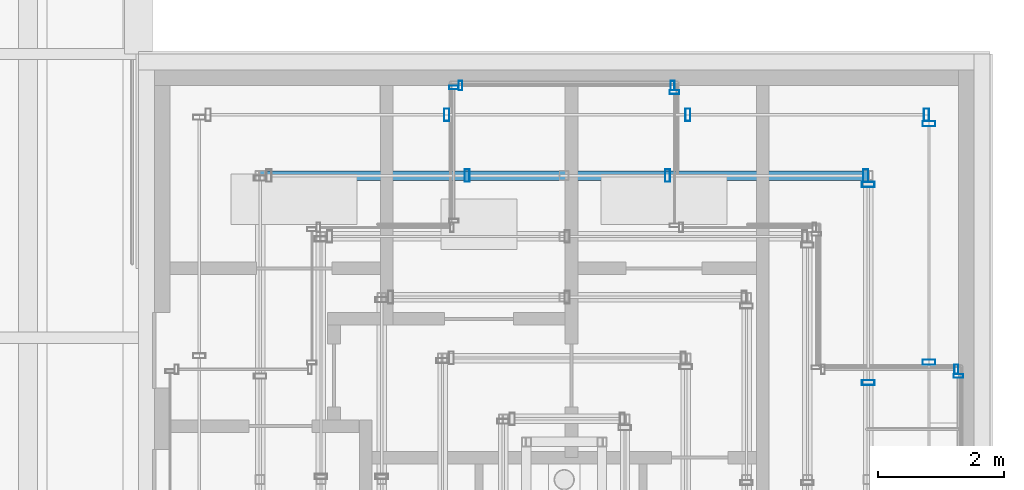
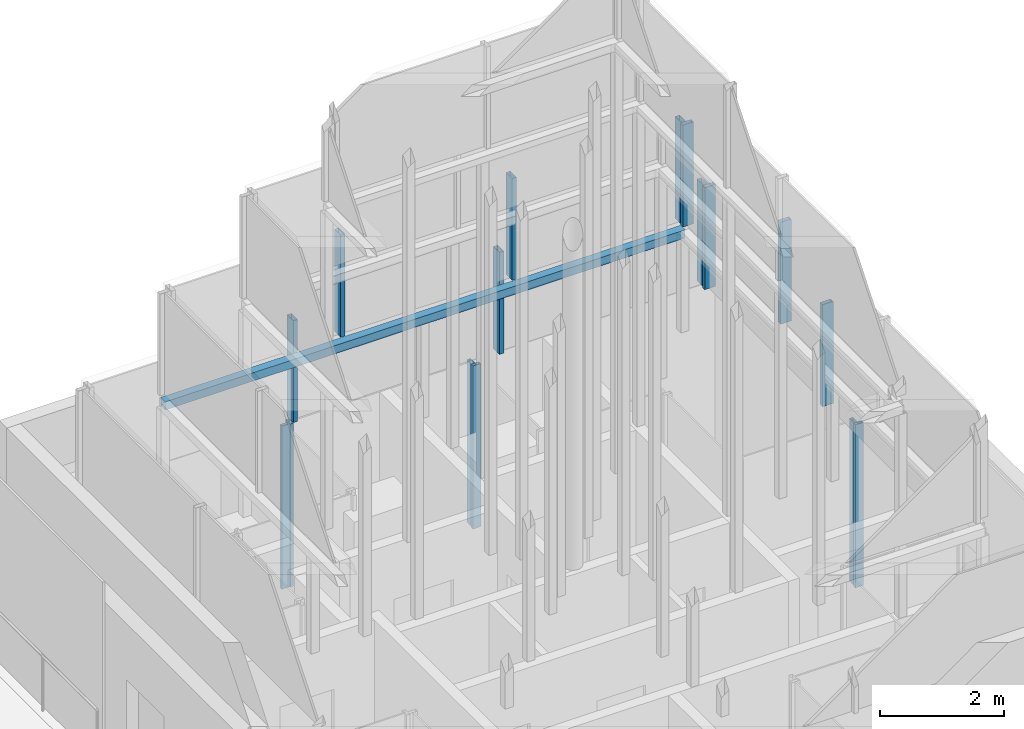
# One storey, part 51 of 62: 16 members, 1 beam, 9 elements without a shape of their own.
"""IFC4 building model written with IfcOpenShell, lengths in metres."""

import ifcopenshell
import ifcopenshell.guid

model = None  # the IFC model being written
_history = None  # IfcOwnerHistory: only IFC2X3 demands one
_inside = {}  # id of a spatial element -> (the spatial element, [elements in it])
_under = {}  # id of a project, library or spatial element -> (it, [spatial elements below it])
_declared = {}  # id of a project -> (the project, [libraries it declares])
_typed = {}  # id of a type object -> (the type object, [elements of that type])
_made_of = {}  # id of a material, layer set ... -> (it, [elements and type objects made of it])


def new_model(schema):
    """Start an empty IFC model of exactly this schema.

    Asked for "IFC4X3", IfcOpenShell would pick the latest addendum, in which some entities
    have other attributes; the version numbers below select the first issue.
    IFC2X3 requires an IfcOwnerHistory on every rooted entity: one is made here for all.
    """
    global model, _history
    if schema == "IFC4X3":
        model = ifcopenshell.file(schema_version=(4, 3, 0, 0))
    else:
        model = ifcopenshell.file(schema=schema)
    _inside.clear()
    _under.clear()
    _declared.clear()
    _typed.clear()
    _made_of.clear()
    _history = None
    if model.schema == "IFC2X3":
        org = make("IfcOrganization", Name="unknown")
        user = make(
            "IfcPersonAndOrganization",
            ThePerson=make("IfcPerson", FamilyName="unknown"),
            TheOrganization=org,
        )
        app = make(
            "IfcApplication",
            ApplicationDeveloper=org,
            Version="unknown",
            ApplicationFullName="unknown",
            ApplicationIdentifier="unknown",
        )
        _history = make(
            "IfcOwnerHistory",
            OwningUser=user,
            OwningApplication=app,
            ChangeAction="ADDED",
            CreationDate=0,
        )
    return model


def make(cls, **values):
    """One entity of the class cls with the attributes given. An attribute that is None is left unset."""
    return model.create_entity(
        cls, **{name: value for name, value in values.items() if value is not None}
    )


def rooted(cls, **values):
    """An entity with a GlobalId (a new one), such as an element, a storey or a relation."""
    return make(cls, GlobalId=ifcopenshell.guid.new(), OwnerHistory=_history, **values)


def si_unit(unit_type, name, prefix=None):
    """IfcSIUnit, for example si_unit("LENGTHUNIT", "METRE", prefix="MILLI")."""
    return make("IfcSIUnit", UnitType=unit_type, Prefix=prefix, Name=name)


def assignment(units):
    """IfcUnitAssignment: the units of a project."""
    return None if units is None else make("IfcUnitAssignment", Units=units)


def point(xyz):
    """IfcCartesianPoint."""
    return None if xyz is None else make("IfcCartesianPoint", Coordinates=xyz)


def direction(xyz):
    """IfcDirection."""
    return None if xyz is None else make("IfcDirection", DirectionRatios=xyz)


def frame(location, z_axis=None, x_axis=None):
    """IfcAxis2Placement3D, a coordinate frame: its origin and axes. An axis left out is left unset."""
    return make(
        "IfcAxis2Placement3D",
        Location=point(location),
        Axis=direction(z_axis),
        RefDirection=direction(x_axis),
    )


def frame_2d(location, x_axis=None):
    """IfcAxis2Placement2D, a coordinate frame in the plane: its origin and x axis."""
    return make(
        "IfcAxis2Placement2D", Location=point(location), RefDirection=direction(x_axis)
    )


def origin():
    """The frame at (0, 0, 0) with its axes left unset."""
    return frame((0.0, 0.0, 0.0))


def origin_2d():
    """The frame at (0, 0) in the plane with its x axis left unset."""
    return frame_2d((0.0, 0.0))


def place(relative_to, where):
    """IfcLocalPlacement: puts the frame where relative to a parent placement (None: the world)."""
    return make(
        "IfcLocalPlacement", PlacementRelTo=relative_to, RelativePlacement=where
    )


def context(
    kind, dimensions, precision=None, world=None, true_north=None, identifier=None
):
    """IfcGeometricRepresentationContext, for example the 3D "Model" context."""
    return make(
        "IfcGeometricRepresentationContext",
        ContextIdentifier=identifier,
        ContextType=kind,
        CoordinateSpaceDimension=dimensions,
        Precision=precision,
        WorldCoordinateSystem=world,
        TrueNorth=true_north,
    )


def subcontext(parent, identifier, kind, view, scale=None):
    """IfcGeometricRepresentationSubContext, for example "Body" below "Model"."""
    return make(
        "IfcGeometricRepresentationSubContext",
        ContextIdentifier=identifier,
        ContextType=kind,
        ParentContext=parent,
        TargetScale=scale,
        TargetView=view,
    )


def project(units=None, contexts=None):
    """IfcProject with its units and contexts."""
    return rooted(
        "IfcProject",
        Name="project",
        RepresentationContexts=contexts,
        UnitsInContext=assignment(units),
    )


def spatial(cls, under=None, at=None, **own):
    """A site, building, storey or space (cls), placed at a placement, below another one or the project."""
    s = rooted(cls, ObjectPlacement=at, **own)
    if under is not None:
        _under.setdefault(under.id(), (under, []))[1].append(s)
    return s


def profile(cls, at=None, kind="AREA", **sizes):
    """A parametric profile (cls). Its sizes go by their IFC names, for example OverallWidth=200.0."""
    return make(cls, ProfileType=kind, Position=at, **sizes)


def hollow_rectangle(**sizes):
    """IfcRectangleHollowProfileDef."""
    return profile("IfcRectangleHollowProfileDef", **sizes)


def extrude(swept, where, along, depth):
    """IfcExtrudedAreaSolid: the profile swept, set in the frame where, extruded along a direction by depth."""
    return make(
        "IfcExtrudedAreaSolid",
        SweptArea=swept,
        Position=where,
        ExtrudedDirection=direction(along),
        Depth=depth,
    )


def shape(context_of_items, identifier, shape_type, items):
    """IfcShapeRepresentation: the items that make up one representation, for example the "Body"."""
    return make(
        "IfcShapeRepresentation",
        ContextOfItems=context_of_items,
        RepresentationIdentifier=identifier,
        RepresentationType=shape_type,
        Items=items,
    )


def material(Name=None, Category=None):
    """IfcMaterial."""
    return make("IfcMaterial", Name=Name, Category=Category)


def material_profile(
    of_material, cross_section, Name=None, Category=None, Priority=None
):
    """IfcMaterialProfile: a cross section and its material."""
    return make(
        "IfcMaterialProfile",
        Name=Name,
        Material=of_material,
        Profile=cross_section,
        Priority=Priority,
        Category=Category,
    )


def profile_set(profiles, Name=None, composite=None):
    """IfcMaterialProfileSet."""
    return make(
        "IfcMaterialProfileSet",
        Name=Name,
        MaterialProfiles=profiles,
        CompositeProfile=composite,
    )


def made_of(thing, what):
    """Note that an element or type object is made of a material, layer set ...; save() writes the relation."""
    if what is not None:
        _made_of.setdefault(what.id(), (what, []))[1].append(thing)
    return thing


def type_object(cls, material=None, **own):
    """A type object (cls), such as IfcWallType, which elements share."""
    return made_of(rooted(cls, **own), material)


def element(
    cls,
    number,
    at=None,
    inside=None,
    cuts=None,
    type_object=None,
    material=None,
    context=None,
    identifier="Body",
    shape_type=None,
    held_by="IfcProductDefinitionShape",
    body=None,
    shapes=None,
    **own,
):
    """One element of the class cls, such as IfcWall. Its Tag is "e" and its number.

    at: its placement. inside: the storey or other place that contains it. cuts: it is an
    opening in that element (IfcRelVoidsElement). A single representation is given by context,
    identifier, shape_type and body (its items); several are given by shapes. held_by: the class
    of the entity that holds the representations. save() writes the other relations.
    """
    e = rooted(cls, Tag="e%d" % number, ObjectPlacement=at, **own)
    if body is not None:
        shapes = [shape(context, identifier, shape_type, body)]
    if shapes is not None:
        e.Representation = make(held_by, Representations=shapes)
    if inside is not None:
        _inside.setdefault(inside.id(), (inside, []))[1].append(e)
    if cuts is not None:
        rooted(
            "IfcRelVoidsElement", RelatingBuildingElement=cuts, RelatedOpeningElement=e
        )
    if type_object is not None:
        _typed.setdefault(type_object.id(), (type_object, []))[1].append(e)
    return made_of(e, material)


def aggregate(whole, parts):
    """IfcRelAggregates: a whole, such as a stair, and the parts it consists of."""
    return rooted("IfcRelAggregates", RelatingObject=whole, RelatedObjects=parts)


def save(model, path):
    """Write the relations noted so far, then the file.

    IfcRelAggregates (storeys below a building ...), IfcRelContainedInSpatialStructure (elements
    in a storey), IfcRelDefinesByType, IfcRelAssociatesMaterial and IfcRelDeclares: one each for
    every whole, place, type object, material and project.
    """
    for whole, parts in _under.values():
        aggregate(whole, parts)
    for where, things in _inside.values():
        rooted(
            "IfcRelContainedInSpatialStructure",
            RelatedElements=things,
            RelatingStructure=where,
        )
    for kind, things in _typed.values():
        rooted("IfcRelDefinesByType", RelatedObjects=things, RelatingType=kind)
    for what, things in _made_of.values():
        rooted("IfcRelAssociatesMaterial", RelatedObjects=things, RelatingMaterial=what)
    for by, libraries in _declared.values():
        rooted("IfcRelDeclares", RelatingContext=by, RelatedDefinitions=libraries)
    model.write(path)


model = new_model("IFC4")

# Units and contexts
model_context = context("Model", 3, precision=1e-05, world=origin(), true_north=direction((0.0, 1.0)))
body_context = subcontext(model_context, "Body", "Model", "MODEL_VIEW")
ifc_project = project(units=[si_unit("LENGTHUNIT", "METRE"), si_unit("AREAUNIT", "SQUARE_METRE"), si_unit("VOLUMEUNIT", "CUBIC_METRE"), si_unit("PLANEANGLEUNIT", "RADIAN"), si_unit("MASSUNIT", "GRAM", prefix="KILO")], contexts=[model_context])

# Site, building, storey
site_placement = place(None, origin())
site = spatial("IfcSite", under=ifc_project, at=site_placement, CompositionType="ELEMENT")
building_placement = place(site_placement, origin())
building = spatial("IfcBuilding", under=site, at=building_placement, Name="Altepetl Exchange Towers", CompositionType="ELEMENT")
storey_placement = place(building_placement, frame((0.0, 0.0, 210.0)))
storey = spatial("IfcBuildingStorey", under=building, at=storey_placement, Name="L53", CompositionType="ELEMENT", Elevation=210.0)

# Beam
ifc_material_1 = material(Name="Steel S355", Category="steel")
ifc_material_profile_1 = material_profile(ifc_material_1, hollow_rectangle(XDim=0.14990234375, YDim=0.159912109375, WallThickness=0.008056640625, at=origin_2d()), Name="RHS 160x150x8")
ifc_profile_set_1 = profile_set([ifc_material_profile_1], Name="Steel S355")
beam_type = type_object("IfcBeamType", Name="Crown ring beam hollow section 150x160x8", PredefinedType="BEAM", material=ifc_profile_set_1)
beam_placement = place(storey_placement, frame((115.071533203125, 47.571533203125, 5.52001953125), z_axis=(-1.0, 0.0, 0.0), x_axis=(0.0, -1.0, 0.0)))
element("IfcBeam", 1, at=beam_placement, inside=storey, type_object=beam_type, Name="Crown ring beam", PredefinedType="BEAM", context=body_context, shape_type="SweptSolid", body=[
    extrude(hollow_rectangle(XDim=0.14990234375, YDim=0.159912109375, WallThickness=0.008056640625, at=origin_2d()), origin(), (0.0, 0.0, 1.0), 9.64306640625),
])

# Curtain wall, member
ifc_material_2 = material(Name="Aluminium 6063-T6 glazing", Category="aluminium")
curtain_wall_type_1 = type_object("IfcCurtainWallType", Name="Loggia glazing system", PredefinedType="NOTDEFINED", material=ifc_material_2)
curtain_wall_1_placement = place(storey_placement, origin())
curtain_wall_1 = element("IfcCurtainWall", 2, at=curtain_wall_1_placement, inside=storey, type_object=curtain_wall_type_1, Name="CW1 run", PredefinedType="NOTDEFINED")
ifc_material_3 = material(Name="Aluminium 6063-T6", Category="aluminium")
ifc_material_profile_2 = material_profile(ifc_material_3, hollow_rectangle(XDim=0.06005859375, YDim=0.14990234375, WallThickness=0.0029296875, at=origin_2d()), Name="Mullion 60x150 aluminium")
ifc_profile_set_2 = profile_set([ifc_material_profile_2], Name="Aluminium 6063-T6")
member_type_1 = type_object("IfcMemberType", Name="Mullion 60x150 aluminium", PredefinedType="MULLION", material=ifc_profile_set_2)
member_1_placement = place(storey_placement, frame((116.5, 44.39501953125, 0.0), z_axis=(0.0, 0.0, 1.0), x_axis=(0.0, 1.0, 0.0)))
member_1 = element("IfcMember", 3, at=member_1_placement, type_object=member_type_1, Name="MU1 mullion", PredefinedType="MULLION", context=body_context, shape_type="SweptSolid", body=[
    extrude(hollow_rectangle(XDim=0.06005859375, YDim=0.14990234375, WallThickness=0.0029296875, at=origin_2d()), origin(), (0.0, 0.0, 1.0), 3.199951171875),
])
aggregate(curtain_wall_1, [member_1])

curtain_wall_2_placement = place(storey_placement, origin())
curtain_wall_2 = element("IfcCurtainWall", 4, at=curtain_wall_2_placement, inside=storey, type_object=curtain_wall_type_1, Name="CW1 run", PredefinedType="NOTDEFINED")
member_2_placement = place(storey_placement, frame((116.469970703125, 44.5, 0.0), z_axis=(0.0, 0.0, 1.0), x_axis=(-1.0, 0.0, 0.0)))
member_2 = element("IfcMember", 5, at=member_2_placement, type_object=member_type_1, Name="MU1 mullion", PredefinedType="MULLION", context=body_context, shape_type="SweptSolid", body=[
    extrude(hollow_rectangle(XDim=0.06005859375, YDim=0.14990234375, WallThickness=0.0029296875, at=origin_2d()), origin(), (0.0, 0.0, 1.0), 3.199951171875),
])
aggregate(curtain_wall_2, [member_2])

curtain_wall_3_placement = place(storey_placement, origin())
curtain_wall_3 = element("IfcCurtainWall", 6, at=curtain_wall_3_placement, inside=storey, type_object=curtain_wall_type_1, Name="CW1 run", PredefinedType="NOTDEFINED")
member_3_placement = place(storey_placement, frame((112.0, 48.89501953125, 0.0), z_axis=(0.0, 0.0, 1.0), x_axis=(0.0, 1.0, 0.0)))
member_3 = element("IfcMember", 7, at=member_3_placement, type_object=member_type_1, Name="MU1 mullion", PredefinedType="MULLION", context=body_context, shape_type="SweptSolid", body=[
    extrude(hollow_rectangle(XDim=0.06005859375, YDim=0.14990234375, WallThickness=0.0029296875, at=origin_2d()), origin(), (0.0, 0.0, 1.0), 3.199951171875),
])
aggregate(curtain_wall_3, [member_3])

# Curtain wall, members
curtain_wall_4_placement = place(storey_placement, origin())
curtain_wall_4 = element("IfcCurtainWall", 8, at=curtain_wall_4_placement, inside=storey, type_object=curtain_wall_type_1, Name="CW1 run", PredefinedType="NOTDEFINED")
member_4_placement = place(storey_placement, frame((111.969970703125, 49.0, 0.0), z_axis=(0.0, 0.0, 1.0), x_axis=(-1.0, 0.0, 0.0)))
member_4 = element("IfcMember", 9, at=member_4_placement, type_object=member_type_1, Name="MU1 mullion", PredefinedType="MULLION", context=body_context, shape_type="SweptSolid", body=[
    extrude(hollow_rectangle(XDim=0.06005859375, YDim=0.14990234375, WallThickness=0.0029296875, at=origin_2d()), origin(), (0.0, 0.0, 1.0), 3.199951171875),
])
member_5_placement = place(storey_placement, frame((108.60498046875, 49.0, 0.0), z_axis=(0.0, 0.0, 1.0), x_axis=(-1.0, 0.0, 0.0)))
member_5 = element("IfcMember", 10, at=member_5_placement, type_object=member_type_1, Name="MU1 mullion", PredefinedType="MULLION", context=body_context, shape_type="SweptSolid", body=[
    extrude(hollow_rectangle(XDim=0.06005859375, YDim=0.14990234375, WallThickness=0.0029296875, at=origin_2d()), origin(), (0.0, 0.0, 1.0), 3.199951171875),
])
aggregate(curtain_wall_4, [member_4, member_5])

# Curtain wall, member
curtain_wall_5_placement = place(storey_placement, origin())
curtain_wall_5 = element("IfcCurtainWall", 11, at=curtain_wall_5_placement, inside=storey, type_object=curtain_wall_type_1, Name="CW1 run", PredefinedType="NOTDEFINED")
member_6_placement = place(storey_placement, frame((108.5, 48.969970703125, 0.0), z_axis=(0.0, 0.0, 1.0), x_axis=(0.0, -1.0, 0.0)))
member_6 = element("IfcMember", 12, at=member_6_placement, type_object=member_type_1, Name="MU1 mullion", PredefinedType="MULLION", context=body_context, shape_type="SweptSolid", body=[
    extrude(hollow_rectangle(XDim=0.06005859375, YDim=0.14990234375, WallThickness=0.0029296875, at=origin_2d()), origin(), (0.0, 0.0, 1.0), 3.199951171875),
])
aggregate(curtain_wall_5, [member_6])

# Curtain wall, members
curtain_wall_type_2 = type_object("IfcCurtainWallType", Name="Crown glazing system", PredefinedType="NOTDEFINED", material=ifc_material_2)
curtain_wall_6_placement = place(storey_placement, origin())
curtain_wall_6 = element("IfcCurtainWall", 13, at=curtain_wall_6_placement, inside=storey, type_object=curtain_wall_type_2, Name="CW7 run", PredefinedType="NOTDEFINED")
ifc_material_profile_3 = material_profile(ifc_material_3, hollow_rectangle(XDim=0.080078125, YDim=0.199951171875, WallThickness=0.0029296875, at=origin_2d()), Name="Mullion 80x200 hollow aluminium")
ifc_profile_set_3 = profile_set([ifc_material_profile_3], Name="Aluminium 6063-T6")
member_type_2 = type_object("IfcMemberType", Name="Mullion 80x200 hollow aluminium", PredefinedType="MULLION", material=ifc_profile_set_3)
member_7_placement = place(storey_placement, frame((116.03564453125, 44.61181640625, 3.60009765625), z_axis=(0.0, 0.0, 1.0), x_axis=(0.0, 1.0, 0.0)))
member_7 = element("IfcMember", 14, at=member_7_placement, type_object=member_type_2, Name="MU5 mullion", PredefinedType="MULLION", context=body_context, shape_type="SweptSolid", body=[
    extrude(hollow_rectangle(XDim=0.080078125, YDim=0.199951171875, WallThickness=0.0029296875, at=origin_2d()), origin(), (0.0, 0.0, 1.0), 2.0),
])
member_8_placement = place(storey_placement, frame((116.03564453125, 48.395751953125, 3.60009765625), z_axis=(0.0, 0.0, 1.0), x_axis=(0.0, 1.0, 0.0)))
member_8 = element("IfcMember", 15, at=member_8_placement, type_object=member_type_2, Name="MU5 mullion", PredefinedType="MULLION", context=body_context, shape_type="SweptSolid", body=[
    extrude(hollow_rectangle(XDim=0.080078125, YDim=0.199951171875, WallThickness=0.0029296875, at=origin_2d()), origin(), (0.0, 0.0, 1.0), 2.0),
])
aggregate(curtain_wall_6, [member_7, member_8])

curtain_wall_7_placement = place(storey_placement, origin())
curtain_wall_7 = element("IfcCurtainWall", 16, at=curtain_wall_7_placement, inside=storey, type_object=curtain_wall_type_2, Name="CW7 run", PredefinedType="NOTDEFINED")
member_9_placement = place(storey_placement, frame((115.99560546875, 48.53564453125, 3.60009765625), z_axis=(0.0, 0.0, 1.0), x_axis=(-1.0, 0.0, 0.0)))
member_9 = element("IfcMember", 17, at=member_9_placement, type_object=member_type_2, Name="MU5 mullion", PredefinedType="MULLION", context=body_context, shape_type="SweptSolid", body=[
    extrude(hollow_rectangle(XDim=0.080078125, YDim=0.199951171875, WallThickness=0.0029296875, at=origin_2d()), origin(), (0.0, 0.0, 1.0), 2.0),
])
member_10_placement = place(storey_placement, frame((112.2119140625, 48.53564453125, 3.60009765625), z_axis=(0.0, 0.0, 1.0), x_axis=(-1.0, 0.0, 0.0)))
member_10 = element("IfcMember", 18, at=member_10_placement, type_object=member_type_2, Name="MU5 mullion", PredefinedType="MULLION", context=body_context, shape_type="SweptSolid", body=[
    extrude(hollow_rectangle(XDim=0.080078125, YDim=0.199951171875, WallThickness=0.0029296875, at=origin_2d()), origin(), (0.0, 0.0, 1.0), 2.0),
])
member_11_placement = place(storey_placement, frame((108.38818359375, 48.53564453125, 3.60009765625), z_axis=(0.0, 0.0, 1.0), x_axis=(-1.0, 0.0, 0.0)))
member_11 = element("IfcMember", 19, at=member_11_placement, type_object=member_type_2, Name="MU5 mullion", PredefinedType="MULLION", context=body_context, shape_type="SweptSolid", body=[
    extrude(hollow_rectangle(XDim=0.080078125, YDim=0.199951171875, WallThickness=0.0029296875, at=origin_2d()), origin(), (0.0, 0.0, 1.0), 2.0),
])
aggregate(curtain_wall_7, [member_9, member_10, member_11])

curtain_wall_8_placement = place(storey_placement, origin())
curtain_wall_8 = element("IfcCurtainWall", 20, at=curtain_wall_8_placement, inside=storey, type_object=curtain_wall_type_2, Name="CW7 run", PredefinedType="NOTDEFINED")
member_12_placement = place(storey_placement, frame((115.071533203125, 44.29052734375, 5.75), z_axis=(0.0, 0.0, 1.0), x_axis=(0.0, 1.0, 0.0)))
member_12 = element("IfcMember", 21, at=member_12_placement, type_object=member_type_2, Name="MU5 mullion", PredefinedType="MULLION", context=body_context, shape_type="SweptSolid", body=[
    extrude(hollow_rectangle(XDim=0.080078125, YDim=0.199951171875, WallThickness=0.0029296875, at=origin_2d()), origin(), (0.0, 0.0, 1.0), 2.0),
])
member_13_placement = place(storey_placement, frame((115.071533203125, 47.431396484375, 5.75), z_axis=(0.0, 0.0, 1.0), x_axis=(0.0, 1.0, 0.0)))
member_13 = element("IfcMember", 22, at=member_13_placement, type_object=member_type_2, Name="MU5 mullion", PredefinedType="MULLION", context=body_context, shape_type="SweptSolid", body=[
    extrude(hollow_rectangle(XDim=0.080078125, YDim=0.199951171875, WallThickness=0.0029296875, at=origin_2d()), origin(), (0.0, 0.0, 1.0), 2.0),
])
aggregate(curtain_wall_8, [member_12, member_13])

curtain_wall_9_placement = place(storey_placement, origin())
curtain_wall_9 = element("IfcCurtainWall", 23, at=curtain_wall_9_placement, inside=storey, type_object=curtain_wall_type_2, Name="CW7 run", PredefinedType="NOTDEFINED")
member_14_placement = place(storey_placement, frame((115.031494140625, 47.571533203125, 5.75), z_axis=(0.0, 0.0, 1.0), x_axis=(-1.0, 0.0, 0.0)))
member_14 = element("IfcMember", 24, at=member_14_placement, type_object=member_type_2, Name="MU5 mullion", PredefinedType="MULLION", context=body_context, shape_type="SweptSolid", body=[
    extrude(hollow_rectangle(XDim=0.080078125, YDim=0.199951171875, WallThickness=0.0029296875, at=origin_2d()), origin(), (0.0, 0.0, 1.0), 2.0),
])
member_15_placement = place(storey_placement, frame((111.890380859375, 47.571533203125, 5.75), z_axis=(0.0, 0.0, 1.0), x_axis=(-1.0, 0.0, 0.0)))
member_15 = element("IfcMember", 25, at=member_15_placement, type_object=member_type_2, Name="MU5 mullion", PredefinedType="MULLION", context=body_context, shape_type="SweptSolid", body=[
    extrude(hollow_rectangle(XDim=0.080078125, YDim=0.199951171875, WallThickness=0.0029296875, at=origin_2d()), origin(), (0.0, 0.0, 1.0), 2.0),
])
member_16_placement = place(storey_placement, frame((108.70947265625, 47.571533203125, 5.75), z_axis=(0.0, 0.0, 1.0), x_axis=(-1.0, 0.0, 0.0)))
member_16 = element("IfcMember", 26, at=member_16_placement, type_object=member_type_2, Name="MU5 mullion", PredefinedType="MULLION", context=body_context, shape_type="SweptSolid", body=[
    extrude(hollow_rectangle(XDim=0.080078125, YDim=0.199951171875, WallThickness=0.0029296875, at=origin_2d()), origin(), (0.0, 0.0, 1.0), 2.0),
])
aggregate(curtain_wall_9, [member_14, member_15, member_16])

save(model, "model.ifc")
